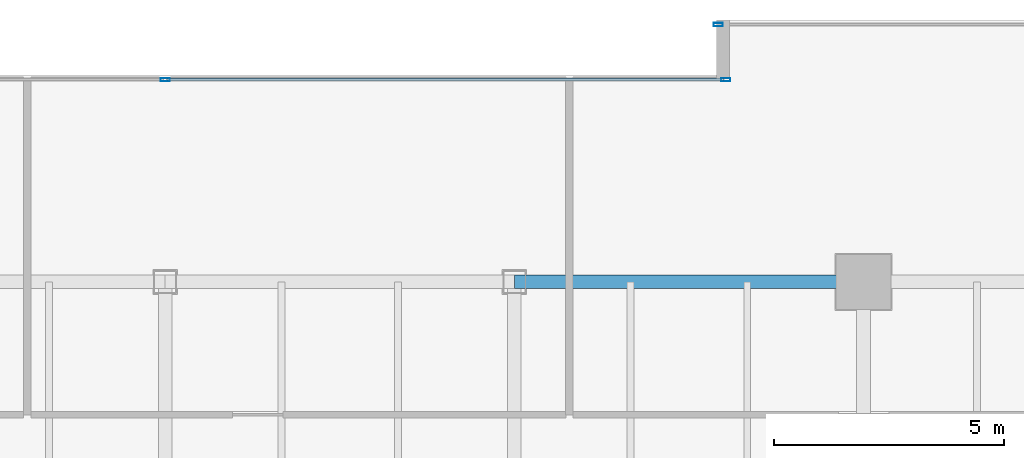
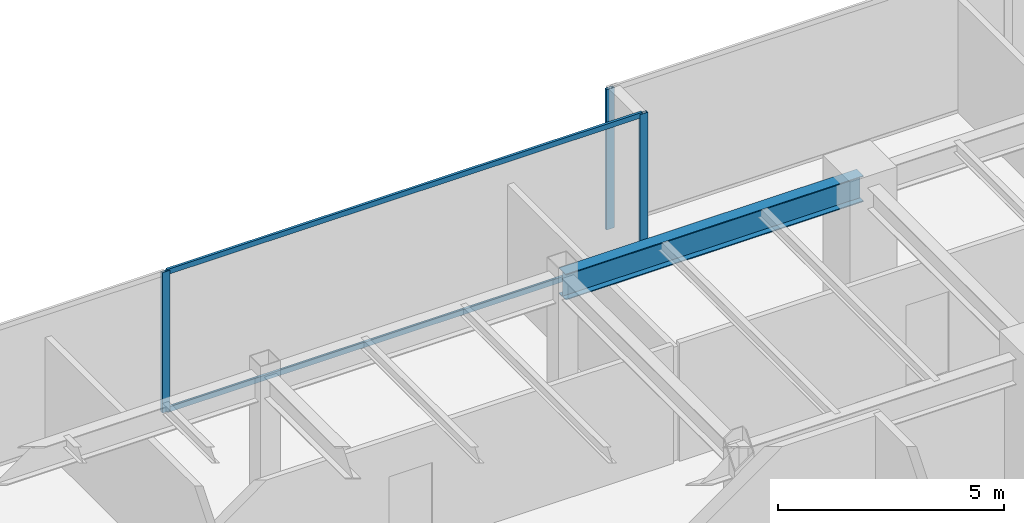
# One storey, part 18 of 33: 5 members, 1 beam, 2 elements without a shape of their own.
"""IFC4 building model written with IfcOpenShell, lengths in metres."""

from ifc_helpers import new_model, si_unit, direction, frame, origin, origin_2d, place, context, subcontext, project, spatial, hollow_rectangle, i_section, extrude, source, transform, mapped, material, layer, layer_set, material_profile, profile_set, type_object, type_shapes, element, aggregate, save


model = new_model("IFC4")

# Units and contexts
model_context = context("Model", 3, precision=1e-05, world=origin(), true_north=direction((0.0, 1.0)))
body_context = subcontext(model_context, "Body", "Model", "MODEL_VIEW")
ifc_project = project(units=[si_unit("LENGTHUNIT", "METRE"), si_unit("AREAUNIT", "SQUARE_METRE"), si_unit("VOLUMEUNIT", "CUBIC_METRE"), si_unit("PLANEANGLEUNIT", "RADIAN"), si_unit("MASSUNIT", "GRAM", prefix="KILO")], contexts=[model_context])

# Site, building, storey
site_placement = place(None, origin())
site = spatial("IfcSite", under=ifc_project, at=site_placement, CompositionType="ELEMENT")
building_placement = place(site_placement, origin())
building = spatial("IfcBuilding", under=site, at=building_placement, Name="Haelvirn Gate Laboratories", CompositionType="ELEMENT")
storey_placement = place(building_placement, frame((0.0, 0.0, 166.60009765625)))
storey = spatial("IfcBuildingStorey", under=building, at=storey_placement, Name="L40", CompositionType="ELEMENT", Elevation=166.60009765625)

# Beam
ifc_material_1 = material(Name="Steel SM355", Category="steel")
ifc_material_profile_1 = material_profile(ifc_material_1, i_section(OverallWidth=0.300048828125, OverallDepth=0.699951171875, WebThickness=0.012939453125, FlangeThickness=0.02392578125, at=origin_2d()), Name="H-700x300x13x24")
ifc_profile_set_1 = profile_set([ifc_material_profile_1], Name="Steel SM355")
beam_type = type_object("IfcBeamType", Name="BM-G-700", PredefinedType="BEAM", material=ifc_profile_set_1)
shared_shape_1 = source(origin(), body_context, "Body", "SweptSolid", [
    extrude(i_section(OverallWidth=0.300048828125, OverallDepth=0.699951171875, WebThickness=0.012939453125, FlangeThickness=0.02392578125, at=origin_2d()), origin(), (0.0, 0.0, 1.0), 7.60009765625),
])
type_shapes(beam_type, [shared_shape_1])
beam_placement = place(storey_placement, frame((45.0, 41.60009765625, 3.43994140625), z_axis=(1.0, 0.0, 0.0), x_axis=(0.0, 1.0, 0.0)))
element("IfcBeam", 1, at=beam_placement, inside=storey, type_object=beam_type, Name="L40 Primary Girder Y41.6 (45.0-52.6)", PredefinedType="BEAM", context=body_context, shape_type="MappedRepresentation", body=[
    mapped(shared_shape_1, transform((0.0, 0.0, 0.0), scale=1.0)),
])

# Curtain wall, members
ifc_material_2 = material(Name="Anodised bronze unitised aluminium & triple low-E glass", Category="aluminium")
ifc_layer = layer(ifc_material_2, 0.179931640625, Name="CW-SYS-3")
ifc_layer_set = layer_set([ifc_layer], Name="Anodised bronze unitised aluminium & triple low-E glass")
curtain_wall_type = type_object("IfcCurtainWallType", Name="CW-SYS-3", PredefinedType="NOTDEFINED", material=ifc_layer_set)
curtain_wall_1_placement = place(storey_placement, origin())
curtain_wall_1 = element("IfcCurtainWall", 2, at=curtain_wall_1_placement, inside=storey, type_object=curtain_wall_type, Name="L40 Unitised Curtain Wall CW-L40-P0-E12-1", PredefinedType="NOTDEFINED")
ifc_material_3 = material(Name="Extruded aluminium 6063-T6 (anodised bronze)", Category="aluminium")
ifc_material_profile_2 = material_profile(ifc_material_3, hollow_rectangle(XDim=0.06494140625, YDim=0.139892578125, WallThickness=0.00390625, at=origin_2d()), Name="CWT-140x65x4")
ifc_profile_set_2 = profile_set([ifc_material_profile_2], Name="Extruded aluminium 6063-T6 (anodised bronze)")
member_type_1 = type_object("IfcMemberType", Name="CWT-T140", PredefinedType="USERDEFINED", material=ifc_profile_set_2)
shared_shape_2 = source(origin(), body_context, "Body", "SweptSolid", [
    extrude(hollow_rectangle(XDim=0.06494140625, YDim=0.139892578125, WallThickness=0.00390625, at=origin_2d()), origin(), (0.0, 0.0, 1.0), 12.12744140625),
])
type_shapes(member_type_1, [shared_shape_2])
member_1_placement = place(storey_placement, frame((37.4375, 46.0, 0.032470703125), z_axis=(1.0, 0.0, 0.0), x_axis=(0.0, 1.0, 0.0)))
member_1 = element("IfcMember", 3, at=member_1_placement, type_object=member_type_1, Name="CW3 transom 2.1", ObjectType="TRANSOM", PredefinedType="USERDEFINED", context=body_context, shape_type="MappedRepresentation", body=[
    mapped(shared_shape_2, transform((0.0, 0.0, 0.0), scale=1.0)),
])
member_2_placement = place(storey_placement, frame((37.4375, 46.0, 3.75732421875), z_axis=(1.0, 0.0, 0.0), x_axis=(0.0, 1.0, 0.0)))
member_2 = element("IfcMember", 4, at=member_2_placement, type_object=member_type_1, Name="CW3 transom 2.2", ObjectType="TRANSOM", PredefinedType="USERDEFINED", context=body_context, shape_type="MappedRepresentation", body=[
    mapped(shared_shape_2, transform((0.0, 0.0, 0.0), scale=1.0)),
])

# Curtain wall, member
curtain_wall_2_placement = place(storey_placement, origin())
curtain_wall_2 = element("IfcCurtainWall", 5, at=curtain_wall_2_placement, inside=storey, type_object=curtain_wall_type, Name="L40 Unitised Curtain Wall CW-L40-P0-E10-1", PredefinedType="NOTDEFINED")
ifc_material_profile_3 = material_profile(ifc_material_3, hollow_rectangle(XDim=0.074951171875, YDim=0.199951171875, WallThickness=0.0048828125, at=origin_2d()), Name="CWM-200x75x5")
ifc_profile_set_3 = profile_set([ifc_material_profile_3], Name="Extruded aluminium 6063-T6 (anodised bronze)")
member_type_2 = type_object("IfcMemberType", Name="CWM-T200", PredefinedType="MULLION", material=ifc_profile_set_3)
shared_shape_3 = source(origin(), body_context, "Body", "SweptSolid", [
    extrude(hollow_rectangle(XDim=0.074951171875, YDim=0.199951171875, WallThickness=0.0048828125, at=origin_2d()), origin(), (0.0, 0.0, 1.0), 3.789794921875),
])
type_shapes(member_type_2, [shared_shape_3])
member_3_placement = place(storey_placement, frame((49.4375, 47.199951171875, 0.0), z_axis=(0.0, 0.0, 1.0), x_axis=(0.0, 1.0, 0.0)))
member_3 = element("IfcMember", 6, at=member_3_placement, type_object=member_type_2, Name="CW3 mullion 1", PredefinedType="MULLION", context=body_context, shape_type="MappedRepresentation", body=[
    mapped(shared_shape_3, transform((0.0, 0.0, 0.0), scale=1.0)),
])
aggregate(curtain_wall_2, [member_3])

# Member
member_4_placement = place(storey_placement, frame((37.39990234375, 46.0, 0.0), z_axis=(0.0, 0.0, 1.0), x_axis=(0.0, 1.0, 0.0)))
member_4 = element("IfcMember", 7, at=member_4_placement, type_object=member_type_2, Name="CW3 mullion 2", PredefinedType="MULLION", context=body_context, shape_type="MappedRepresentation", body=[
    mapped(shared_shape_3, transform((0.0, 0.0, 0.0), scale=1.0)),
])

member_5_placement = place(storey_placement, frame((49.6025390625, 46.0, 0.0), z_axis=(0.0, 0.0, 1.0), x_axis=(0.0, 1.0, 0.0)))
member_5 = element("IfcMember", 8, at=member_5_placement, type_object=member_type_2, Name="CW3 mullion 3", PredefinedType="MULLION", context=body_context, shape_type="MappedRepresentation", body=[
    mapped(shared_shape_3, transform((0.0, 0.0, 0.0), scale=1.0)),
])

aggregate(curtain_wall_1, [member_4, member_5, member_1, member_2])

save(model, "model.ifc")
